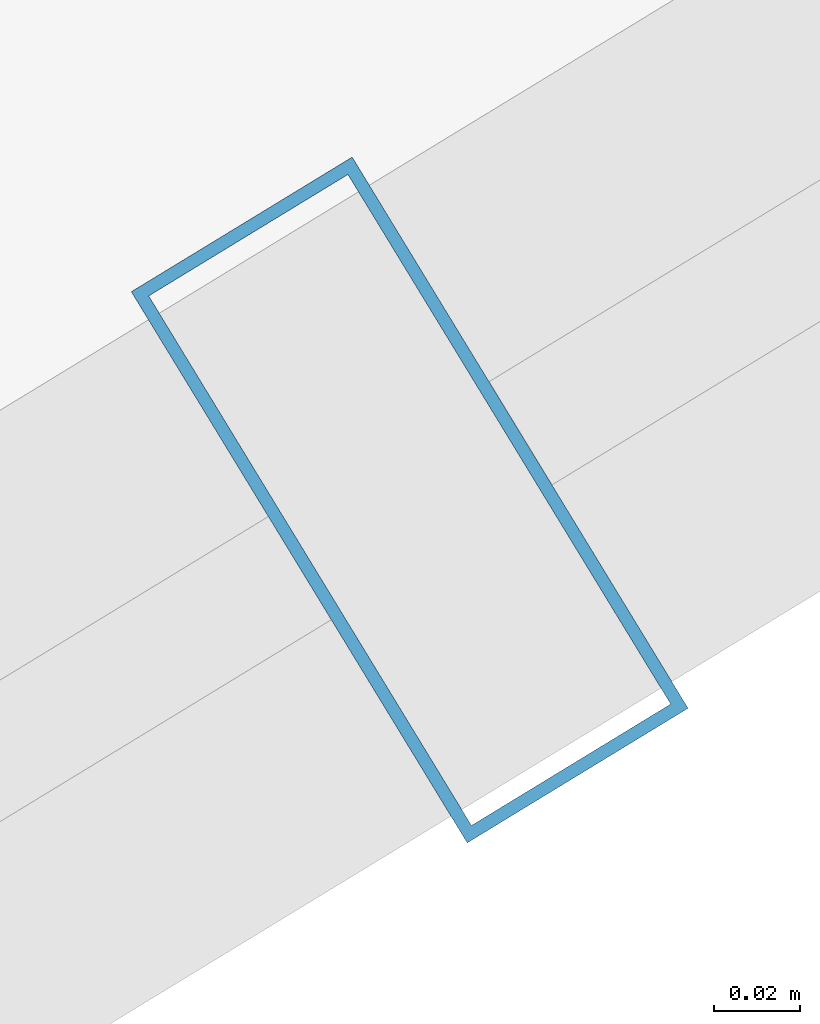
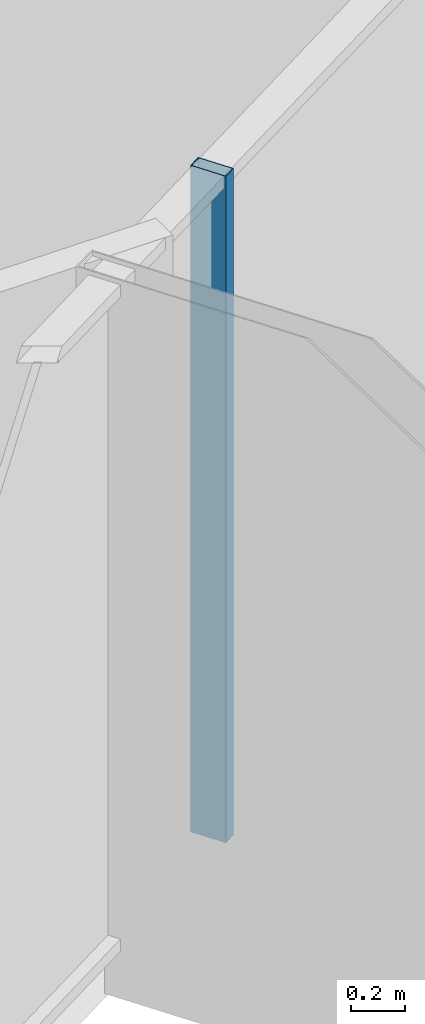
# One storey, part 10 of 32: 1 member, 1 element without a shape of its own.
"""IFC4 building model written with IfcOpenShell, lengths in metres."""

from ifc_helpers import new_model, si_unit, direction, frame, origin, origin_2d, place, context, subcontext, project, spatial, hollow_rectangle, extrude, source, transform, mapped, material, layer, layer_set, material_profile, profile_set, type_object, element, aggregate, save


model = new_model("IFC4")

# Units and contexts
model_context = context("Model", 3, precision=1e-05, world=origin(), true_north=direction((0.0, 1.0)))
body_context = subcontext(model_context, "Body", "Model", "MODEL_VIEW")
ifc_project = project(units=[si_unit("LENGTHUNIT", "METRE"), si_unit("AREAUNIT", "SQUARE_METRE"), si_unit("VOLUMEUNIT", "CUBIC_METRE"), si_unit("PLANEANGLEUNIT", "RADIAN"), si_unit("MASSUNIT", "GRAM", prefix="KILO")], contexts=[model_context])

# Site, building, storey
site_placement = place(None, origin())
site = spatial("IfcSite", under=ifc_project, at=site_placement, CompositionType="ELEMENT")
building_placement = place(site_placement, origin())
building = spatial("IfcBuilding", under=site, at=building_placement, Name="Veraguas Prism Commons", CompositionType="ELEMENT")
storey_placement = place(building_placement, frame((0.0, 0.0, 201.60009765625)))
storey = spatial("IfcBuildingStorey", under=building, at=storey_placement, Name="L57", CompositionType="ELEMENT", Elevation=201.60009765625)

# Curtain wall, member
ifc_material = material(Name="Anodised aluminium EN AW-6063 T6", Category="aluminium")
ifc_layer = layer(ifc_material, 0.14990234375, Name="Unitised Flush Curtain Wall Zone 3", Category="aluminium")
ifc_layer_set = layer_set([ifc_layer], Name="Anodised aluminium EN AW-6063 T6")
curtain_wall_type = type_object("IfcCurtainWallType", Name="Unitised Flush Curtain Wall Zone 3", PredefinedType="NOTDEFINED", material=ifc_layer_set)
curtain_wall_placement = place(storey_placement, origin())
curtain_wall = element("IfcCurtainWall", 1, at=curtain_wall_placement, inside=storey, type_object=curtain_wall_type, Name="Tower Facade Curtain Wall L57-F5", PredefinedType="NOTDEFINED")
ifc_material_profile = material_profile(ifc_material, hollow_rectangle(XDim=0.06005859375, YDim=0.14990234375, WallThickness=0.0029296875, at=origin_2d()), Name="AL60X150X3")
ifc_profile_set = profile_set([ifc_material_profile], Name="Anodised aluminium EN AW-6063 T6")
member_type = type_object("IfcMemberType", Name="Curtain Wall Mullion Upper AL 60x150x3", PredefinedType="MULLION", material=ifc_profile_set)
shared_shape = source(origin(), body_context, "Body", "SweptSolid", [
    extrude(hollow_rectangle(XDim=0.06005859375, YDim=0.14990234375, WallThickness=0.0029296875, at=origin_2d()), origin(), (0.0, 0.0, 1.0), 3.014892578125),
])
member_placement = place(storey_placement, frame((36.611328125, 10.946044921875, 0.0), z_axis=(0.0, 0.0, 1.0), x_axis=(0.853914322581, 0.520413614052, 0.0)))
member = element("IfcMember", 2, at=member_placement, type_object=member_type, Name="CW-Z3 Mullion 4", PredefinedType="MULLION", context=body_context, shape_type="MappedRepresentation", body=[
    mapped(shared_shape, transform((0.0, 0.0, 0.0), scale=1.0)),
])
aggregate(curtain_wall, [member])

save(model, "model.ifc")
